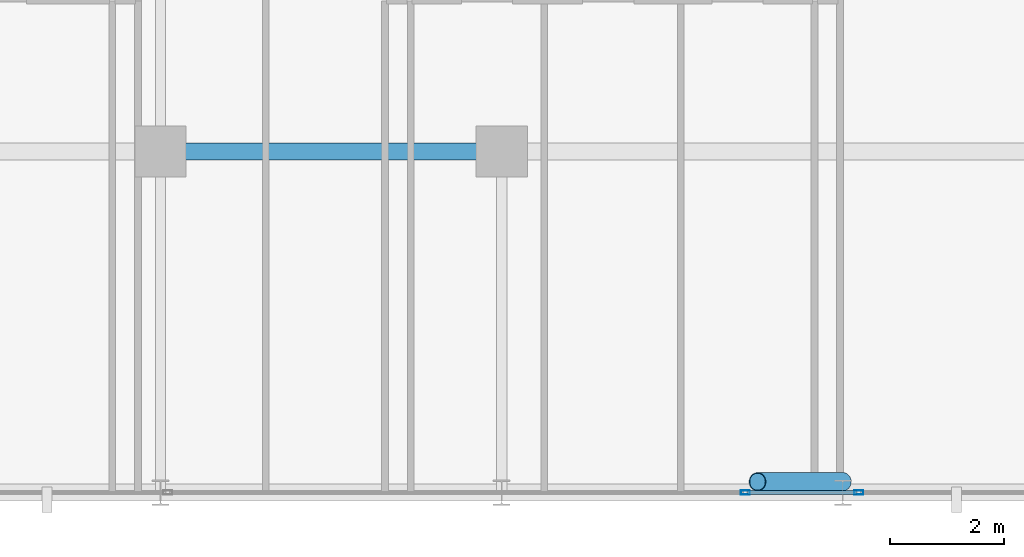
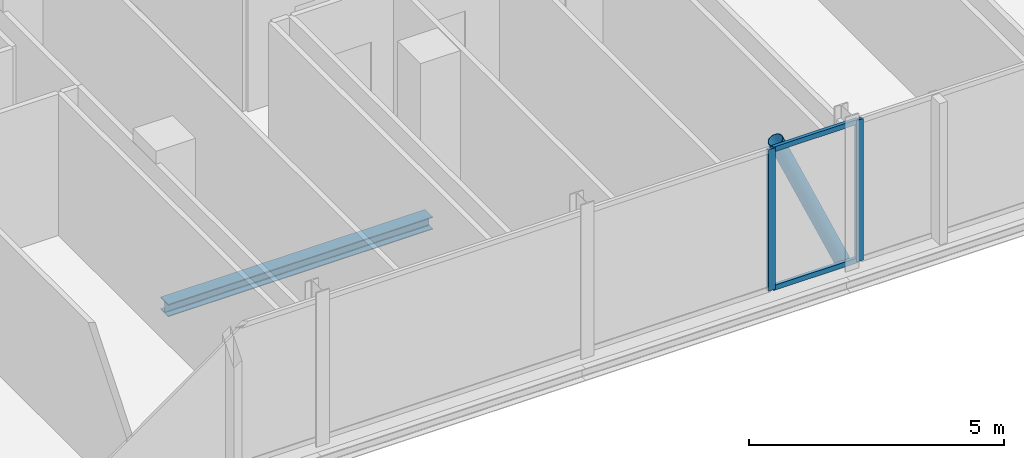
# One storey, part 10 of 29: 5 members, 1 beam, 2 elements without a shape of their own.
"""IFC4 building model written with IfcOpenShell, lengths in metres."""

from ifc_helpers import new_model, si_unit, direction, frame, origin, origin_2d, place, context, subcontext, project, spatial, hollow_rectangle, hollow_circle, i_section, extrude, material, layer, layer_set, material_profile, profile_set, type_object, element, aggregate, save


model = new_model("IFC4")

# Units and contexts
model_context = context("Model", 3, precision=1e-05, world=origin(), true_north=direction((0.0, 1.0)))
body_context = subcontext(model_context, "Body", "Model", "MODEL_VIEW")
ifc_project = project(units=[si_unit("LENGTHUNIT", "METRE"), si_unit("AREAUNIT", "SQUARE_METRE"), si_unit("VOLUMEUNIT", "CUBIC_METRE"), si_unit("PLANEANGLEUNIT", "RADIAN"), si_unit("MASSUNIT", "GRAM", prefix="KILO")], contexts=[model_context])

# Site, building, storey
site_placement = place(None, origin())
site = spatial("IfcSite", under=ifc_project, at=site_placement, CompositionType="ELEMENT")
building_placement = place(site_placement, origin())
building = spatial("IfcBuilding", under=site, at=building_placement, Name="Keshet Zoharim Tower", CompositionType="ELEMENT")
storey_placement = place(building_placement, frame((0.0, 0.0, 172.800048828125)))
storey = spatial("IfcBuildingStorey", under=building, at=storey_placement, Name="L42", CompositionType="ELEMENT", Elevation=172.800048828125)

# Beam
ifc_material_1 = material(Name="Steel S355", Category="steel")
ifc_material_profile_1 = material_profile(ifc_material_1, i_section(OverallWidth=0.300048828125, OverallDepth=0.300048828125, WebThickness=0.010986328125, FlangeThickness=0.01904296875, FilletRadius=0.027099609375, at=origin_2d()), Name="HEB300")
ifc_profile_set_1 = profile_set([ifc_material_profile_1], Name="Steel S355")
beam_type = type_object("IfcBeamType", Name="BM-PRI-HB300", PredefinedType="BEAM", material=ifc_profile_set_1)
beam_placement = place(storey_placement, frame((33.0, 6.699951171875, -0.4599609375), z_axis=(1.0, 0.0, 0.0), x_axis=(0.0, 1.0, 0.0)))
element("IfcBeam", 1, at=beam_placement, inside=storey, type_object=beam_type, Name="L42 Primary Girder X-007", PredefinedType="BEAM", context=body_context, shape_type="SweptSolid", body=[
    extrude(i_section(OverallWidth=0.300048828125, OverallDepth=0.300048828125, WebThickness=0.010986328125, FlangeThickness=0.01904296875, FilletRadius=0.027099609375, at=origin_2d()), origin(), (0.0, 0.0, 1.0), 6.0),
])

# Curtain wall, member
ifc_material_2 = material(Name="Aluminium 6063-T6", Category="aluminium")
ifc_layer = layer(ifc_material_2, 0.139892578125)
ifc_layer_set = layer_set([ifc_layer], Name="Aluminium 6063-T6")
curtain_wall_type = type_object("IfcCurtainWallType", Name="CW-SYS-05", PredefinedType="NOTDEFINED", material=ifc_layer_set)
curtain_wall_1_placement = place(storey_placement, origin())
curtain_wall_1 = element("IfcCurtainWall", 2, at=curtain_wall_1_placement, inside=storey, type_object=curtain_wall_type, Name="L42 Unitised Curtain Wall 06", PredefinedType="NOTDEFINED")
ifc_material_profile_2 = material_profile(ifc_material_2, hollow_rectangle(XDim=0.074951171875, YDim=0.159912109375, WallThickness=0.00390625, at=origin_2d()), Name="MUL-75x160")
ifc_profile_set_2 = profile_set([ifc_material_profile_2], Name="Aluminium 6063-T6")
member_type_1 = type_object("IfcMemberType", Name="CWM-M15", PredefinedType="MULLION", material=ifc_profile_set_2)
member_1_placement = place(storey_placement, frame((45.283203125, 0.699951171875, 0.0), z_axis=(0.0, 0.0, 1.0), x_axis=(0.0, -1.0, 0.0)))
member_1 = element("IfcMember", 3, at=member_1_placement, type_object=member_type_1, Name="CW-05 mullion 2", PredefinedType="MULLION", context=body_context, shape_type="SweptSolid", body=[
    extrude(hollow_rectangle(XDim=0.074951171875, YDim=0.159912109375, WallThickness=0.00390625, at=origin_2d()), origin(), (0.0, 0.0, 1.0), 3.389892578125),
])
aggregate(curtain_wall_1, [member_1])

# Curtain wall, members
curtain_wall_2_placement = place(storey_placement, origin())
curtain_wall_2 = element("IfcCurtainWall", 4, at=curtain_wall_2_placement, inside=storey, type_object=curtain_wall_type, Name="L42 Unitised Curtain Wall 06 Part 2", PredefinedType="NOTDEFINED")
member_2_placement = place(storey_placement, frame((43.286865234375, 0.699951171875, 0.0), z_axis=(0.0, 0.0, 1.0), x_axis=(0.0, -1.0, 0.0)))
member_2 = element("IfcMember", 5, at=member_2_placement, type_object=member_type_1, Name="CW-05 mullion 2", PredefinedType="MULLION", context=body_context, shape_type="SweptSolid", body=[
    extrude(hollow_rectangle(XDim=0.074951171875, YDim=0.159912109375, WallThickness=0.00390625, at=origin_2d()), origin(), (0.0, 0.0, 1.0), 3.389892578125),
])
ifc_material_profile_3 = material_profile(ifc_material_2, hollow_rectangle(XDim=0.074951171875, YDim=0.1201171875, WallThickness=0.00390625, at=origin_2d()), Name="TRN-75x120")
ifc_profile_set_3 = profile_set([ifc_material_profile_3], Name="Aluminium 6063-T6")
member_type_2 = type_object("IfcMemberType", Name="CWT-T12", PredefinedType="USERDEFINED", material=ifc_profile_set_3)
member_3_placement = place(storey_placement, frame((45.248046875, 0.699951171875, 0.034912109375), z_axis=(-1.0, 0.0, 0.0), x_axis=(0.0, -1.0, 0.0)))
member_3 = element("IfcMember", 6, at=member_3_placement, type_object=member_type_2, Name="CW-05 transom 1.1", ObjectType="TRANSOM", PredefinedType="USERDEFINED", context=body_context, shape_type="SweptSolid", body=[
    extrude(hollow_rectangle(XDim=0.074951171875, YDim=0.1201171875, WallThickness=0.00390625, at=origin_2d()), origin(), (0.0, 0.0, 1.0), 1.926025390625),
])
member_4_placement = place(storey_placement, frame((45.248046875, 0.699951171875, 3.35498046875), z_axis=(-1.0, 0.0, 0.0), x_axis=(0.0, -1.0, 0.0)))
member_4 = element("IfcMember", 7, at=member_4_placement, type_object=member_type_2, Name="CW-05 transom 1.2", ObjectType="TRANSOM", PredefinedType="USERDEFINED", context=body_context, shape_type="SweptSolid", body=[
    extrude(hollow_rectangle(XDim=0.074951171875, YDim=0.1201171875, WallThickness=0.00390625, at=origin_2d()), origin(), (0.0, 0.0, 1.0), 1.926025390625),
])
aggregate(curtain_wall_2, [member_2, member_3, member_4])

# Member
ifc_material_profile_4 = material_profile(ifc_material_1, hollow_circle(Radius=0.161865234375, WallThickness=0.012451171875, at=origin_2d()), Name="CHS323x12.5")
ifc_profile_set_4 = profile_set([ifc_material_profile_4], Name="Steel S355")
member_type_3 = type_object("IfcMemberType", Name="MB-BR-C323", PredefinedType="BRACE", material=ifc_profile_set_4)
member_5_placement = place(storey_placement, frame((45.0, 0.889892578125, 0.0), z_axis=(-0.40464689807, 0.0, 0.914473011019), x_axis=(0.0, -1.0, 0.0)))
element("IfcMember", 8, at=member_5_placement, inside=storey, type_object=member_type_3, Name="L42 Perimeter Tube Brace 03", PredefinedType="BRACE", context=body_context, shape_type="SweptSolid", body=[
    extrude(hollow_circle(Radius=0.161865234375, WallThickness=0.012451171875, at=origin_2d()), origin(), (0.0, 0.0, 1.0), 3.70703125),
])

save(model, "model.ifc")
